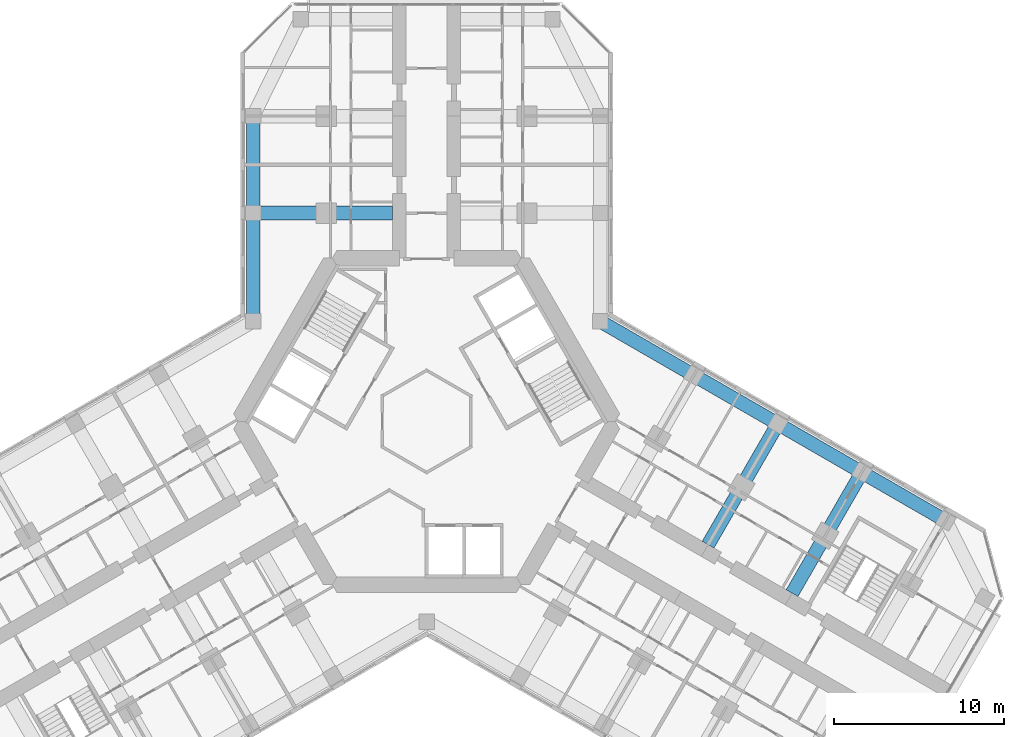
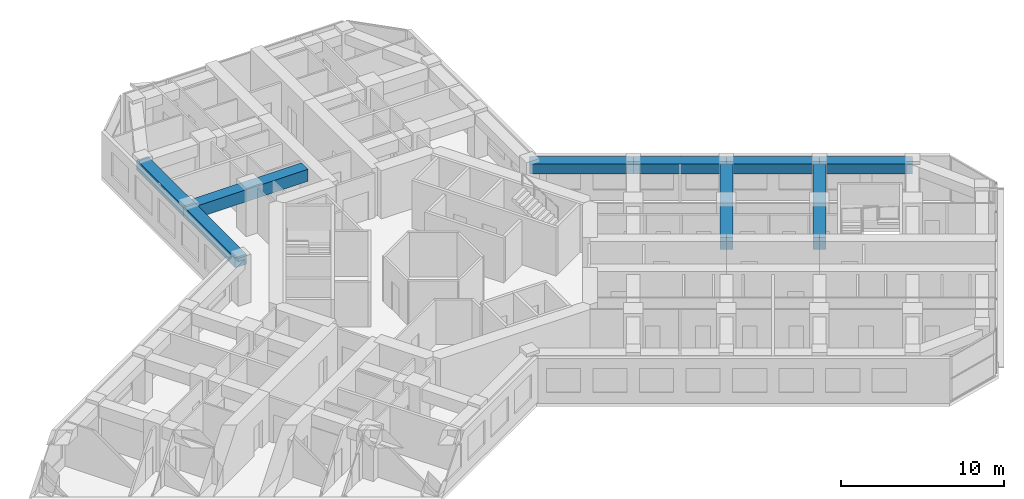
# One storey, part 6 of 19: 9 beams.
"""IFC4 building model written with IfcOpenShell, lengths in metres."""

from ifc_helpers import new_model, si_unit, direction, frame, origin, origin_2d, place, context, subcontext, project, spatial, rectangle, extrude, material, material_profile, profile_set, type_object, element, save


model = new_model("IFC4")

# Units and contexts
model_context = context("Model", 3, precision=1e-05, world=origin(), true_north=direction((0.0, 1.0)))
body_context = subcontext(model_context, "Body", "Model", "MODEL_VIEW")
ifc_project = project(units=[si_unit("LENGTHUNIT", "METRE"), si_unit("AREAUNIT", "SQUARE_METRE"), si_unit("VOLUMEUNIT", "CUBIC_METRE"), si_unit("PLANEANGLEUNIT", "RADIAN"), si_unit("MASSUNIT", "GRAM", prefix="KILO")], contexts=[model_context])

# Site, building, storey
site_placement = place(None, origin())
site = spatial("IfcSite", under=ifc_project, at=site_placement, CompositionType="ELEMENT")
building_placement = place(site_placement, origin())
building = spatial("IfcBuilding", under=site, at=building_placement, Name="Kosmar Iwan School Tower", CompositionType="ELEMENT")
storey_placement = place(building_placement, frame((0.0, 0.0, 168.800048828125)))
storey = spatial("IfcBuildingStorey", under=building, at=storey_placement, Name="L42", CompositionType="ELEMENT", Elevation=168.800048828125)

# Beams
ifc_material_1 = material(Name="Concrete C50/60", Category="concrete")
ifc_material_profile_1 = material_profile(ifc_material_1, rectangle(XDim=0.800048828125, YDim=0.75, at=origin_2d()), Name="RC 800x750")
ifc_profile_set_1 = profile_set([ifc_material_profile_1], Name="Concrete C50/60")
beam_type_1 = type_object("IfcBeamType", Name="RC edge beam 800x750", PredefinedType="BEAM", material=ifc_profile_set_1)
beam_1_placement = place(storey_placement, frame((-10.199951171875, 5.888916015625, 2.974853515625), z_axis=(0.0, 1.0, 0.0), x_axis=(-1.0, 0.0, 0.0)))
element("IfcBeam", 1, at=beam_1_placement, inside=storey, type_object=beam_type_1, Name="Edge beam AL1", PredefinedType="BEAM", context=body_context, shape_type="SweptSolid", body=[
    extrude(rectangle(XDim=0.800048828125, YDim=0.75, at=origin_2d()), origin(), (0.0, 0.0, 1.0), 6.361083984375),
])
beam_2_placement = place(storey_placement, frame((-10.199951171875, 12.25, 2.974853515625), z_axis=(0.0, 1.0, 0.0), x_axis=(-1.0, 0.0, 0.0)))
element("IfcBeam", 2, at=beam_2_placement, inside=storey, type_object=beam_type_1, Name="Edge beam AL2", PredefinedType="BEAM", context=body_context, shape_type="SweptSolid", body=[
    extrude(rectangle(XDim=0.800048828125, YDim=0.75, at=origin_2d()), origin(), (0.0, 0.0, 1.0), 5.699951171875),
])
beam_3_placement = place(storey_placement, frame((10.199951171875, 5.888916015625, 2.974853515625), z_axis=(0.866030912664, -0.49999045822, 0.0), x_axis=(0.49999045822, 0.866030912664, 0.0)))
element("IfcBeam", 3, at=beam_3_placement, inside=storey, type_object=beam_type_1, Name="Edge beam CL1", PredefinedType="BEAM", context=body_context, shape_type="SweptSolid", body=[
    extrude(rectangle(XDim=0.800048828125, YDim=0.75, at=origin_2d()), origin(), (0.0, 0.0, 1.0), 6.36083984375),
])
beam_4_placement = place(storey_placement, frame((15.708740234375, 2.70849609375, 2.974853515625), z_axis=(0.866025820012, -0.499999279071, 0.0), x_axis=(0.499999279071, 0.866025820012, 0.0)))
element("IfcBeam", 4, at=beam_4_placement, inside=storey, type_object=beam_type_1, Name="Edge beam CL2", PredefinedType="BEAM", context=body_context, shape_type="SweptSolid", body=[
    extrude(rectangle(XDim=0.800048828125, YDim=0.75, at=origin_2d()), origin(), (0.0, 0.0, 1.0), 5.7001953125),
])
for number, where, z_axis, x_axis, name in (
    (5, (20.645263671875, -0.1416015625, 2.974853515625), (0.866033658841, -0.49998570155, 0.0), (0.49998570155, 0.866033658841, 0.0), "Edge beam CL3"),
    (6, (25.58154296875, -2.991455078125, 2.974853515625), (0.866015111908, -0.50001782563, 0.0), (0.50001782563, 0.866015111908, 0.0), "Edge beam CL4"),
):
    element("IfcBeam", number, at=place(storey_placement, frame(where, z_axis=z_axis, x_axis=x_axis)), inside=storey, type_object=beam_type_1, Name=name, PredefinedType="BEAM", context=body_context, shape_type="SweptSolid", body=[
        extrude(rectangle(XDim=0.800048828125, YDim=0.75, at=origin_2d()), origin(), (0.0, 0.0, 1.0), 5.699951171875),
    ])
ifc_material_2 = material(Name="Concrete C50/60", Category="concrete")
ifc_material_profile_2 = material_profile(ifc_material_2, rectangle(XDim=0.800048828125, YDim=0.89990234375, at=origin_2d()), Name="RC 800x900")
ifc_profile_set_2 = profile_set([ifc_material_profile_2], Name="Concrete C50/60")
beam_type_2 = type_object("IfcBeamType", Name="RC transverse beam 800x900", PredefinedType="BEAM", material=ifc_profile_set_2)
for number, where, z_axis, x_axis, name in (
    (7, (-10.199951171875, 12.25, 2.89990234375), (1.0, 0.0, 0.0), (0.0, 1.0, 0.0), "Transverse beam AL1"),
    (8, (20.645263671875, -0.1416015625, 2.89990234375), (-0.500013681986, -0.866017504342, 0.0), (0.866017504342, -0.500013681986, 0.0), "Transverse beam CL2"),
):
    element("IfcBeam", number, at=place(storey_placement, frame(where, z_axis=z_axis, x_axis=x_axis)), inside=storey, type_object=beam_type_2, Name=name, PredefinedType="BEAM", context=body_context, shape_type="SweptSolid", body=[
        extrude(rectangle(XDim=0.800048828125, YDim=0.89990234375, at=origin_2d()), origin(), (0.0, 0.0, 1.0), 8.199951171875),
    ])
beam_5_placement = place(storey_placement, frame((25.58154296875, -2.991455078125, 2.89990234375), z_axis=(-0.500000789788, -0.8660249478, 0.0), x_axis=(0.8660249478, -0.500000789788, 0.0)))
element("IfcBeam", 9, at=beam_5_placement, inside=storey, type_object=beam_type_2, Name="Transverse beam CL3", PredefinedType="BEAM", context=body_context, shape_type="SweptSolid", body=[
    extrude(rectangle(XDim=0.800048828125, YDim=0.89990234375, at=origin_2d()), origin(), (0.0, 0.0, 1.0), 8.2001953125),
])

save(model, "model.ifc")
